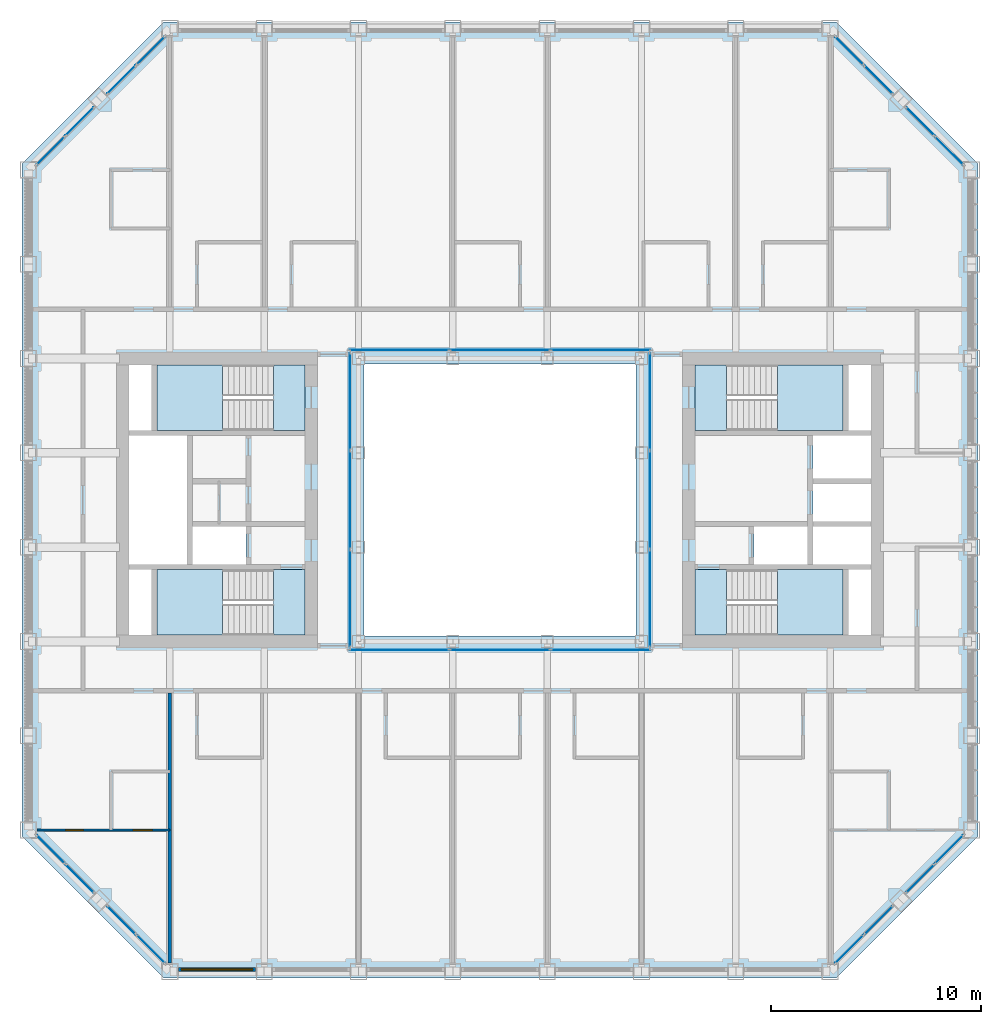
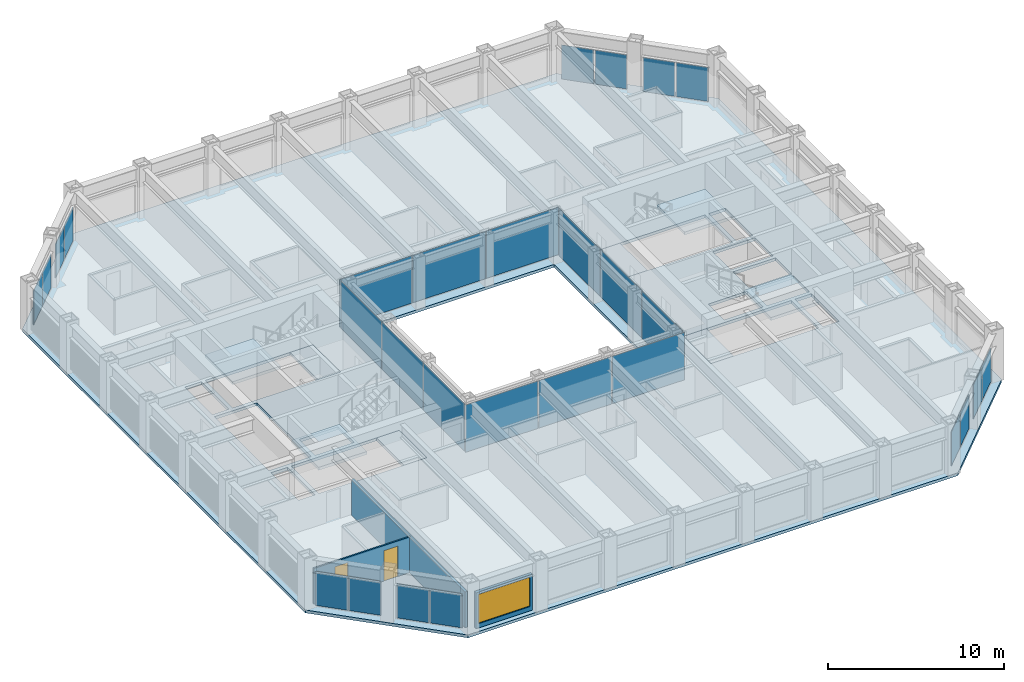
# One storey, part 9 of 17: 28 plates, 9 slabs, 3 walls, 2 doors, 1 window, 3 openings, 16 elements without a shape of their own.
"""IFC4 building model written with IfcOpenShell, lengths in metres."""

from ifc_helpers import new_model, si_unit, direction, frame, frame_2d, origin, origin_2d, place, context, subcontext, project, spatial, polyline, rectangle, outline, extrude, material, layer, layer_set, type_object, element, fill, aggregate, save


model = new_model("IFC4")

# Units and contexts
model_context = context("Model", 3, precision=1e-05, world=origin(), true_north=direction((0.0, 1.0)))
body_context = subcontext(model_context, "Body", "Model", "MODEL_VIEW")
ifc_project = project(units=[si_unit("LENGTHUNIT", "METRE"), si_unit("AREAUNIT", "SQUARE_METRE"), si_unit("VOLUMEUNIT", "CUBIC_METRE"), si_unit("PLANEANGLEUNIT", "RADIAN"), si_unit("MASSUNIT", "GRAM", prefix="KILO")], contexts=[model_context])

# Site, building, storey
site_placement = place(None, origin())
site = spatial("IfcSite", under=ifc_project, at=site_placement, CompositionType="ELEMENT")
building_placement = place(site_placement, origin())
building = spatial("IfcBuilding", under=site, at=building_placement, Name="Msasa Ring Tower", CompositionType="ELEMENT")
storey_placement = place(building_placement, frame((0.0, 0.0, 150.800048828125)))
storey = spatial("IfcBuildingStorey", under=building, at=storey_placement, Name="L39", CompositionType="ELEMENT", Elevation=150.800048828125)

# Curtain wall, plates
ifc_material_1 = material(Name="Aluminium curtain wall with clear glass", Category="aluminium")
curtain_wall_type_1 = type_object("IfcCurtainWallType", Name="CW-C CHAMFER CORNER CURTAIN WALL", PredefinedType="NOTDEFINED", material=ifc_material_1)
curtain_wall_1_placement = place(storey_placement, origin())
curtain_wall_1 = element("IfcCurtainWall", 1, at=curtain_wall_1_placement, inside=storey, type_object=curtain_wall_type_1, Name="Chamfer corner curtain wall SE L39", PredefinedType="NOTDEFINED")
ifc_material_2 = material(Name="Clear laminated insulating glass unit", Category="glass")
ifc_layer_1 = layer(ifc_material_2, 0.031982421875)
ifc_layer_set_1 = layer_set([ifc_layer_1], Name="CW-C GLASS PANEL 32")
plate_type_1 = type_object("IfcPlateType", Name="CW-C GLASS PANEL 32", PredefinedType="CURTAIN_PANEL", material=ifc_layer_set_1)
plate_1_placement = place(storey_placement, frame((16.677734375, -21.430908203125, 0.06494140625), z_axis=(0.0, 0.0, 1.0), x_axis=(0.707106781187, 0.707106781187, 0.0)))
plate_1 = element("IfcPlate", 2, at=plate_1_placement, type_object=plate_type_1, Name="CW-C panel 1.1", PredefinedType="CURTAIN_PANEL", context=body_context, shape_type="SweptSolid", body=[
    extrude(rectangle(XDim=1.884033203125, YDim=0.031982421875, at=origin_2d()), origin(), (0.0, 0.0, 1.0), 2.34912109375),
])
plate_2_placement = place(storey_placement, frame((18.055908203125, -20.052734375, 0.06494140625), z_axis=(0.0, 0.0, 1.0), x_axis=(0.707106781187, 0.707106781187, 0.0)))
plate_2 = element("IfcPlate", 3, at=plate_2_placement, type_object=plate_type_1, Name="CW-C panel 2.1", PredefinedType="CURTAIN_PANEL", context=body_context, shape_type="SweptSolid", body=[
    extrude(rectangle(XDim=1.884033203125, YDim=0.031982421875, at=origin_2d()), origin(), (0.0, 0.0, 1.0), 2.34912109375),
])
aggregate(curtain_wall_1, [plate_1, plate_2])

curtain_wall_2_placement = place(storey_placement, origin())
curtain_wall_2 = element("IfcCurtainWall", 4, at=curtain_wall_2_placement, inside=storey, type_object=curtain_wall_type_1, Name="Chamfer corner curtain wall SE L39", PredefinedType="NOTDEFINED")
plate_3_placement = place(storey_placement, frame((20.052734375, -18.055908203125, 0.06494140625), z_axis=(0.0, 0.0, 1.0), x_axis=(0.707106781187, 0.707106781187, 0.0)))
plate_3 = element("IfcPlate", 5, at=plate_3_placement, type_object=plate_type_1, Name="CW-C panel 1.1", PredefinedType="CURTAIN_PANEL", context=body_context, shape_type="SweptSolid", body=[
    extrude(rectangle(XDim=1.884033203125, YDim=0.031982421875, at=origin_2d()), origin(), (0.0, 0.0, 1.0), 2.34912109375),
])
plate_4_placement = place(storey_placement, frame((21.430908203125, -16.677734375, 0.06494140625), z_axis=(0.0, 0.0, 1.0), x_axis=(0.707106781187, 0.707106781187, 0.0)))
plate_4 = element("IfcPlate", 6, at=plate_4_placement, type_object=plate_type_1, Name="CW-C panel 2.1", PredefinedType="CURTAIN_PANEL", context=body_context, shape_type="SweptSolid", body=[
    extrude(rectangle(XDim=1.884033203125, YDim=0.031982421875, at=origin_2d()), origin(), (0.0, 0.0, 1.0), 2.34912109375),
])
aggregate(curtain_wall_2, [plate_3, plate_4])

curtain_wall_3_placement = place(storey_placement, origin())
curtain_wall_3 = element("IfcCurtainWall", 7, at=curtain_wall_3_placement, inside=storey, type_object=curtain_wall_type_1, Name="Chamfer corner curtain wall NE L39", PredefinedType="NOTDEFINED")
plate_5_placement = place(storey_placement, frame((18.055908203125, 20.052734375, 0.06494140625), z_axis=(0.0, 0.0, 1.0), x_axis=(-0.707106781187, 0.707106781187, 0.0)))
plate_5 = element("IfcPlate", 8, at=plate_5_placement, type_object=plate_type_1, Name="CW-C panel 1.1", PredefinedType="CURTAIN_PANEL", context=body_context, shape_type="SweptSolid", body=[
    extrude(rectangle(XDim=1.884033203125, YDim=0.031982421875, at=origin_2d()), origin(), (0.0, 0.0, 1.0), 2.34912109375),
])
plate_6_placement = place(storey_placement, frame((16.677734375, 21.430908203125, 0.06494140625), z_axis=(0.0, 0.0, 1.0), x_axis=(-0.707106781187, 0.707106781187, 0.0)))
plate_6 = element("IfcPlate", 9, at=plate_6_placement, type_object=plate_type_1, Name="CW-C panel 2.1", PredefinedType="CURTAIN_PANEL", context=body_context, shape_type="SweptSolid", body=[
    extrude(rectangle(XDim=1.884033203125, YDim=0.031982421875, at=origin_2d()), origin(), (0.0, 0.0, 1.0), 2.34912109375),
])
aggregate(curtain_wall_3, [plate_5, plate_6])

curtain_wall_4_placement = place(storey_placement, origin())
curtain_wall_4 = element("IfcCurtainWall", 10, at=curtain_wall_4_placement, inside=storey, type_object=curtain_wall_type_1, Name="Chamfer corner curtain wall NE L39", PredefinedType="NOTDEFINED")
plate_7_placement = place(storey_placement, frame((21.430908203125, 16.677734375, 0.06494140625), z_axis=(0.0, 0.0, 1.0), x_axis=(-0.707106781187, 0.707106781187, 0.0)))
plate_7 = element("IfcPlate", 11, at=plate_7_placement, type_object=plate_type_1, Name="CW-C panel 1.1", PredefinedType="CURTAIN_PANEL", context=body_context, shape_type="SweptSolid", body=[
    extrude(rectangle(XDim=1.884033203125, YDim=0.031982421875, at=origin_2d()), origin(), (0.0, 0.0, 1.0), 2.34912109375),
])
plate_8_placement = place(storey_placement, frame((20.052734375, 18.055908203125, 0.06494140625), z_axis=(0.0, 0.0, 1.0), x_axis=(-0.707106781187, 0.707106781187, 0.0)))
plate_8 = element("IfcPlate", 12, at=plate_8_placement, type_object=plate_type_1, Name="CW-C panel 2.1", PredefinedType="CURTAIN_PANEL", context=body_context, shape_type="SweptSolid", body=[
    extrude(rectangle(XDim=1.884033203125, YDim=0.031982421875, at=origin_2d()), origin(), (0.0, 0.0, 1.0), 2.34912109375),
])
aggregate(curtain_wall_4, [plate_7, plate_8])

curtain_wall_5_placement = place(storey_placement, origin())
curtain_wall_5 = element("IfcCurtainWall", 13, at=curtain_wall_5_placement, inside=storey, type_object=curtain_wall_type_1, Name="Chamfer corner curtain wall NW L39", PredefinedType="NOTDEFINED")
plate_9_placement = place(storey_placement, frame((-20.052734375, 18.055908203125, 0.06494140625), z_axis=(0.0, 0.0, 1.0), x_axis=(-0.707106781187, -0.707106781187, 0.0)))
plate_9 = element("IfcPlate", 14, at=plate_9_placement, type_object=plate_type_1, Name="CW-C panel 1.1", PredefinedType="CURTAIN_PANEL", context=body_context, shape_type="SweptSolid", body=[
    extrude(rectangle(XDim=1.884033203125, YDim=0.031982421875, at=origin_2d()), origin(), (0.0, 0.0, 1.0), 2.34912109375),
])
plate_10_placement = place(storey_placement, frame((-21.430908203125, 16.677734375, 0.06494140625), z_axis=(0.0, 0.0, 1.0), x_axis=(-0.707106781187, -0.707106781187, 0.0)))
plate_10 = element("IfcPlate", 15, at=plate_10_placement, type_object=plate_type_1, Name="CW-C panel 2.1", PredefinedType="CURTAIN_PANEL", context=body_context, shape_type="SweptSolid", body=[
    extrude(rectangle(XDim=1.884033203125, YDim=0.031982421875, at=origin_2d()), origin(), (0.0, 0.0, 1.0), 2.34912109375),
])
aggregate(curtain_wall_5, [plate_9, plate_10])

curtain_wall_6_placement = place(storey_placement, origin())
curtain_wall_6 = element("IfcCurtainWall", 16, at=curtain_wall_6_placement, inside=storey, type_object=curtain_wall_type_1, Name="Chamfer corner curtain wall NW L39", PredefinedType="NOTDEFINED")
plate_11_placement = place(storey_placement, frame((-16.677734375, 21.430908203125, 0.06494140625), z_axis=(0.0, 0.0, 1.0), x_axis=(-0.707106781187, -0.707106781187, 0.0)))
plate_11 = element("IfcPlate", 17, at=plate_11_placement, type_object=plate_type_1, Name="CW-C panel 1.1", PredefinedType="CURTAIN_PANEL", context=body_context, shape_type="SweptSolid", body=[
    extrude(rectangle(XDim=1.884033203125, YDim=0.031982421875, at=origin_2d()), origin(), (0.0, 0.0, 1.0), 2.34912109375),
])
plate_12_placement = place(storey_placement, frame((-18.055908203125, 20.052734375, 0.06494140625), z_axis=(0.0, 0.0, 1.0), x_axis=(-0.707106781187, -0.707106781187, 0.0)))
plate_12 = element("IfcPlate", 18, at=plate_12_placement, type_object=plate_type_1, Name="CW-C panel 2.1", PredefinedType="CURTAIN_PANEL", context=body_context, shape_type="SweptSolid", body=[
    extrude(rectangle(XDim=1.884033203125, YDim=0.031982421875, at=origin_2d()), origin(), (0.0, 0.0, 1.0), 2.34912109375),
])
aggregate(curtain_wall_6, [plate_11, plate_12])

curtain_wall_7_placement = place(storey_placement, origin())
curtain_wall_7 = element("IfcCurtainWall", 19, at=curtain_wall_7_placement, inside=storey, type_object=curtain_wall_type_1, Name="Chamfer corner curtain wall SW L39", PredefinedType="NOTDEFINED")
plate_13_placement = place(storey_placement, frame((-21.430908203125, -16.677734375, 0.06494140625), z_axis=(0.0, 0.0, 1.0), x_axis=(0.707106781187, -0.707106781187, 0.0)))
plate_13 = element("IfcPlate", 20, at=plate_13_placement, type_object=plate_type_1, Name="CW-C panel 1.1", PredefinedType="CURTAIN_PANEL", context=body_context, shape_type="SweptSolid", body=[
    extrude(rectangle(XDim=1.884033203125, YDim=0.031982421875, at=origin_2d()), origin(), (0.0, 0.0, 1.0), 2.34912109375),
])
plate_14_placement = place(storey_placement, frame((-20.052734375, -18.055908203125, 0.06494140625), z_axis=(0.0, 0.0, 1.0), x_axis=(0.707106781187, -0.707106781187, 0.0)))
plate_14 = element("IfcPlate", 21, at=plate_14_placement, type_object=plate_type_1, Name="CW-C panel 2.1", PredefinedType="CURTAIN_PANEL", context=body_context, shape_type="SweptSolid", body=[
    extrude(rectangle(XDim=1.884033203125, YDim=0.031982421875, at=origin_2d()), origin(), (0.0, 0.0, 1.0), 2.34912109375),
])
aggregate(curtain_wall_7, [plate_13, plate_14])

curtain_wall_8_placement = place(storey_placement, origin())
curtain_wall_8 = element("IfcCurtainWall", 22, at=curtain_wall_8_placement, inside=storey, type_object=curtain_wall_type_1, Name="Chamfer corner curtain wall SW L39", PredefinedType="NOTDEFINED")
plate_15_placement = place(storey_placement, frame((-18.055908203125, -20.052734375, 0.06494140625), z_axis=(0.0, 0.0, 1.0), x_axis=(0.707106781187, -0.707106781187, 0.0)))
plate_15 = element("IfcPlate", 23, at=plate_15_placement, type_object=plate_type_1, Name="CW-C panel 1.1", PredefinedType="CURTAIN_PANEL", context=body_context, shape_type="SweptSolid", body=[
    extrude(rectangle(XDim=1.884033203125, YDim=0.031982421875, at=origin_2d()), origin(), (0.0, 0.0, 1.0), 2.34912109375),
])
plate_16_placement = place(storey_placement, frame((-16.677734375, -21.430908203125, 0.06494140625), z_axis=(0.0, 0.0, 1.0), x_axis=(0.707106781187, -0.707106781187, 0.0)))
plate_16 = element("IfcPlate", 24, at=plate_16_placement, type_object=plate_type_1, Name="CW-C panel 2.1", PredefinedType="CURTAIN_PANEL", context=body_context, shape_type="SweptSolid", body=[
    extrude(rectangle(XDim=1.884033203125, YDim=0.031982421875, at=origin_2d()), origin(), (0.0, 0.0, 1.0), 2.34912109375),
])
aggregate(curtain_wall_8, [plate_15, plate_16])

ifc_material_3 = material(Name="Aluminium curtain wall with clear glass", Category="aluminium")
curtain_wall_type_2 = type_object("IfcCurtainWallType", Name="CW-W LIGHT WELL CURTAIN WALL", PredefinedType="NOTDEFINED", material=ifc_material_3)
curtain_wall_9_placement = place(storey_placement, origin())
curtain_wall_9 = element("IfcCurtainWall", 25, at=curtain_wall_9_placement, inside=storey, type_object=curtain_wall_type_2, Name="Light well curtain wall N L39", PredefinedType="NOTDEFINED")
ifc_material_4 = material(Name="Clear laminated insulating glass unit", Category="glass")
ifc_layer_2 = layer(ifc_material_4, 0.028076171875)
ifc_layer_set_2 = layer_set([ifc_layer_2], Name="CW-W GLASS PANEL 28")
plate_type_2 = type_object("IfcPlateType", Name="CW-W GLASS PANEL 28", PredefinedType="CURTAIN_PANEL", material=ifc_layer_set_2)
plate_17_placement = place(storey_placement, frame((-4.804931640625, 7.14990234375, 0.06005859375), z_axis=(0.0, 0.0, 1.0), x_axis=(1.0, 0.0, 0.0)))
plate_17 = element("IfcPlate", 26, at=plate_17_placement, type_object=plate_type_2, Name="CW-W panel 1.1", PredefinedType="CURTAIN_PANEL", context=body_context, shape_type="SweptSolid", body=[
    extrude(rectangle(XDim=4.72998046875, YDim=0.028076171875, at=origin_2d()), origin(), (0.0, 0.0, 1.0), 3.280029296875),
])
plate_18_placement = place(storey_placement, frame((0.0, 7.14990234375, 0.06005859375), z_axis=(0.0, 0.0, 1.0), x_axis=(1.0, 0.0, 0.0)))
plate_18 = element("IfcPlate", 27, at=plate_18_placement, type_object=plate_type_2, Name="CW-W panel 2.1", PredefinedType="CURTAIN_PANEL", context=body_context, shape_type="SweptSolid", body=[
    extrude(rectangle(XDim=4.760009765625, YDim=0.028076171875, at=origin_2d()), origin(), (0.0, 0.0, 1.0), 3.280029296875),
])
plate_19_placement = place(storey_placement, frame((4.804931640625, 7.14990234375, 0.06005859375), z_axis=(0.0, 0.0, 1.0), x_axis=(1.0, 0.0, 0.0)))
plate_19 = element("IfcPlate", 28, at=plate_19_placement, type_object=plate_type_2, Name="CW-W panel 3.1", PredefinedType="CURTAIN_PANEL", context=body_context, shape_type="SweptSolid", body=[
    extrude(rectangle(XDim=4.72998046875, YDim=0.028076171875, at=origin_2d()), origin(), (0.0, 0.0, 1.0), 3.280029296875),
])
aggregate(curtain_wall_9, [plate_17, plate_18, plate_19])

curtain_wall_10_placement = place(storey_placement, origin())
curtain_wall_10 = element("IfcCurtainWall", 29, at=curtain_wall_10_placement, inside=storey, type_object=curtain_wall_type_2, Name="Light well curtain wall S L39", PredefinedType="NOTDEFINED")
plate_20_placement = place(storey_placement, frame((-4.804931640625, -7.14990234375, 0.06005859375), z_axis=(0.0, 0.0, 1.0), x_axis=(1.0, 0.0, 0.0)))
plate_20 = element("IfcPlate", 30, at=plate_20_placement, type_object=plate_type_2, Name="CW-W panel 1.1", PredefinedType="CURTAIN_PANEL", context=body_context, shape_type="SweptSolid", body=[
    extrude(rectangle(XDim=4.72998046875, YDim=0.028076171875, at=origin_2d()), origin(), (0.0, 0.0, 1.0), 3.280029296875),
])
plate_21_placement = place(storey_placement, frame((0.0, -7.14990234375, 0.06005859375), z_axis=(0.0, 0.0, 1.0), x_axis=(1.0, 0.0, 0.0)))
plate_21 = element("IfcPlate", 31, at=plate_21_placement, type_object=plate_type_2, Name="CW-W panel 2.1", PredefinedType="CURTAIN_PANEL", context=body_context, shape_type="SweptSolid", body=[
    extrude(rectangle(XDim=4.760009765625, YDim=0.028076171875, at=origin_2d()), origin(), (0.0, 0.0, 1.0), 3.280029296875),
])
plate_22_placement = place(storey_placement, frame((4.804931640625, -7.14990234375, 0.06005859375), z_axis=(0.0, 0.0, 1.0), x_axis=(1.0, 0.0, 0.0)))
plate_22 = element("IfcPlate", 32, at=plate_22_placement, type_object=plate_type_2, Name="CW-W panel 3.1", PredefinedType="CURTAIN_PANEL", context=body_context, shape_type="SweptSolid", body=[
    extrude(rectangle(XDim=4.72998046875, YDim=0.028076171875, at=origin_2d()), origin(), (0.0, 0.0, 1.0), 3.280029296875),
])
aggregate(curtain_wall_10, [plate_20, plate_21, plate_22])

curtain_wall_11_placement = place(storey_placement, origin())
curtain_wall_11 = element("IfcCurtainWall", 33, at=curtain_wall_11_placement, inside=storey, type_object=curtain_wall_type_2, Name="Light well curtain wall E L39", PredefinedType="NOTDEFINED")
plate_23_placement = place(storey_placement, frame((7.14990234375, -4.6982421875, 0.06005859375), z_axis=(0.0, 0.0, 1.0), x_axis=(0.0, 1.0, 0.0)))
plate_23 = element("IfcPlate", 34, at=plate_23_placement, type_object=plate_type_2, Name="CW-W panel 1.1", PredefinedType="CURTAIN_PANEL", context=body_context, shape_type="SweptSolid", body=[
    extrude(rectangle(XDim=4.623291015625, YDim=0.028076171875, at=origin_2d()), origin(), (0.0, 0.0, 1.0), 3.280029296875),
])
plate_24_placement = place(storey_placement, frame((7.14990234375, 0.0, 0.06005859375), z_axis=(0.0, 0.0, 1.0), x_axis=(0.0, 1.0, 0.0)))
plate_24 = element("IfcPlate", 35, at=plate_24_placement, type_object=plate_type_2, Name="CW-W panel 2.1", PredefinedType="CURTAIN_PANEL", context=body_context, shape_type="SweptSolid", body=[
    extrude(rectangle(XDim=4.6533203125, YDim=0.028076171875, at=origin_2d()), origin(), (0.0, 0.0, 1.0), 3.280029296875),
])
plate_25_placement = place(storey_placement, frame((7.14990234375, 4.6982421875, 0.06005859375), z_axis=(0.0, 0.0, 1.0), x_axis=(0.0, 1.0, 0.0)))
plate_25 = element("IfcPlate", 36, at=plate_25_placement, type_object=plate_type_2, Name="CW-W panel 3.1", PredefinedType="CURTAIN_PANEL", context=body_context, shape_type="SweptSolid", body=[
    extrude(rectangle(XDim=4.623291015625, YDim=0.028076171875, at=origin_2d()), origin(), (0.0, 0.0, 1.0), 3.280029296875),
])
aggregate(curtain_wall_11, [plate_23, plate_24, plate_25])

curtain_wall_12_placement = place(storey_placement, origin())
curtain_wall_12 = element("IfcCurtainWall", 37, at=curtain_wall_12_placement, inside=storey, type_object=curtain_wall_type_2, Name="Light well curtain wall W L39", PredefinedType="NOTDEFINED")
plate_26_placement = place(storey_placement, frame((-7.14990234375, -4.6982421875, 0.06005859375), z_axis=(0.0, 0.0, 1.0), x_axis=(0.0, 1.0, 0.0)))
plate_26 = element("IfcPlate", 38, at=plate_26_placement, type_object=plate_type_2, Name="CW-W panel 1.1", PredefinedType="CURTAIN_PANEL", context=body_context, shape_type="SweptSolid", body=[
    extrude(rectangle(XDim=4.623291015625, YDim=0.028076171875, at=origin_2d()), origin(), (0.0, 0.0, 1.0), 3.280029296875),
])
plate_27_placement = place(storey_placement, frame((-7.14990234375, 0.0, 0.06005859375), z_axis=(0.0, 0.0, 1.0), x_axis=(0.0, 1.0, 0.0)))
plate_27 = element("IfcPlate", 39, at=plate_27_placement, type_object=plate_type_2, Name="CW-W panel 2.1", PredefinedType="CURTAIN_PANEL", context=body_context, shape_type="SweptSolid", body=[
    extrude(rectangle(XDim=4.6533203125, YDim=0.028076171875, at=origin_2d()), origin(), (0.0, 0.0, 1.0), 3.280029296875),
])
plate_28_placement = place(storey_placement, frame((-7.14990234375, 4.6982421875, 0.06005859375), z_axis=(0.0, 0.0, 1.0), x_axis=(0.0, 1.0, 0.0)))
plate_28 = element("IfcPlate", 40, at=plate_28_placement, type_object=plate_type_2, Name="CW-W panel 3.1", PredefinedType="CURTAIN_PANEL", context=body_context, shape_type="SweptSolid", body=[
    extrude(rectangle(XDim=4.623291015625, YDim=0.028076171875, at=origin_2d()), origin(), (0.0, 0.0, 1.0), 3.280029296875),
])
aggregate(curtain_wall_12, [plate_26, plate_27, plate_28])

# Stair, slabs
ifc_material_5 = material(Name="Concrete C40/50", Category="concrete")
stair_type = type_object("IfcStairType", Name="STC CORE STAIR 20 RISERS 180", PredefinedType="HALF_TURN_STAIR", material=ifc_material_5)
stair_1_placement = place(storey_placement, origin())
stair_1 = element("IfcStair", 41, at=stair_1_placement, inside=storey, type_object=stair_type, Name="Core stair SEA L39", PredefinedType="HALF_TURN_STAIR")
ifc_material_6 = material(Name="Concrete C40/50", Category="concrete")
ifc_layer_3 = layer(ifc_material_6, 0.199951171875)
ifc_layer_set_3 = layer_set([ifc_layer_3], Name="LD1 CORE STAIR LANDING 200")
slab_type_1 = type_object("IfcSlabType", Name="LD1 CORE STAIR LANDING 200", PredefinedType="LANDING", material=ifc_layer_set_3)
slab_1_placement = place(storey_placement, frame((0.0, 0.0, -0.199951171875)))
slab_1 = element("IfcSlab", 42, at=slab_1_placement, type_object=slab_type_1, Name="SEA landing 1", PredefinedType="LANDING", context=body_context, shape_type="SweptSolid", body=[
    extrude(outline(polyline([(9.300048828125, -6.449951171875), (10.800048828125, -6.449951171875), (10.800048828125, -3.324951171875), (9.300048828125, -3.324951171875), (9.300048828125, -6.449951171875)])), origin(), (0.0, 0.0, 1.0), 0.199951171875),
])
slab_2_placement = place(storey_placement, frame((0.0, 0.0, 1.599853515625)))
slab_2 = element("IfcSlab", 43, at=slab_2_placement, type_object=slab_type_1, Name="SEA landing 2", PredefinedType="LANDING", context=body_context, shape_type="SweptSolid", body=[
    extrude(outline(polyline([(13.22998046875, -6.449951171875), (16.375, -6.449951171875), (16.375, -3.324951171875), (13.22998046875, -3.324951171875), (13.22998046875, -6.449951171875)])), origin(), (0.0, 0.0, 1.0), 0.2001953125),
])
aggregate(stair_1, [slab_1, slab_2])

stair_2_placement = place(storey_placement, origin())
stair_2 = element("IfcStair", 44, at=stair_2_placement, inside=storey, type_object=stair_type, Name="Core stair SEB L39", PredefinedType="HALF_TURN_STAIR")
slab_3_placement = place(storey_placement, frame((0.0, 0.0, -0.199951171875)))
slab_3 = element("IfcSlab", 45, at=slab_3_placement, type_object=slab_type_1, Name="SEB landing 1", PredefinedType="LANDING", context=body_context, shape_type="SweptSolid", body=[
    extrude(outline(polyline([(9.300048828125, 3.324951171875), (10.800048828125, 3.324951171875), (10.800048828125, 6.449951171875), (9.300048828125, 6.449951171875), (9.300048828125, 3.324951171875)])), origin(), (0.0, 0.0, 1.0), 0.199951171875),
])
slab_4_placement = place(storey_placement, frame((0.0, 0.0, 1.599853515625)))
slab_4 = element("IfcSlab", 46, at=slab_4_placement, type_object=slab_type_1, Name="SEB landing 2", PredefinedType="LANDING", context=body_context, shape_type="SweptSolid", body=[
    extrude(outline(polyline([(13.22998046875, 3.324951171875), (16.375, 3.324951171875), (16.375, 6.449951171875), (13.22998046875, 6.449951171875), (13.22998046875, 3.324951171875)])), origin(), (0.0, 0.0, 1.0), 0.2001953125),
])
aggregate(stair_2, [slab_3, slab_4])

stair_3_placement = place(storey_placement, origin())
stair_3 = element("IfcStair", 47, at=stair_3_placement, inside=storey, type_object=stair_type, Name="Core stair SWA L39", PredefinedType="HALF_TURN_STAIR")
slab_5_placement = place(storey_placement, frame((0.0, 0.0, -0.199951171875)))
slab_5 = element("IfcSlab", 48, at=slab_5_placement, type_object=slab_type_1, Name="SWA landing 1", PredefinedType="LANDING", context=body_context, shape_type="SweptSolid", body=[
    extrude(outline(polyline([(-10.800048828125, -6.449951171875), (-9.300048828125, -6.449951171875), (-9.300048828125, -3.324951171875), (-10.800048828125, -3.324951171875), (-10.800048828125, -6.449951171875)])), origin(), (0.0, 0.0, 1.0), 0.199951171875),
])
slab_6_placement = place(storey_placement, frame((0.0, 0.0, 1.599853515625)))
slab_6 = element("IfcSlab", 49, at=slab_6_placement, type_object=slab_type_1, Name="SWA landing 2", PredefinedType="LANDING", context=body_context, shape_type="SweptSolid", body=[
    extrude(outline(polyline([(-16.375, -6.449951171875), (-13.22998046875, -6.449951171875), (-13.22998046875, -3.324951171875), (-16.375, -3.324951171875), (-16.375, -6.449951171875)])), origin(), (0.0, 0.0, 1.0), 0.2001953125),
])
aggregate(stair_3, [slab_5, slab_6])

stair_4_placement = place(storey_placement, origin())
stair_4 = element("IfcStair", 50, at=stair_4_placement, inside=storey, type_object=stair_type, Name="Core stair SWB L39", PredefinedType="HALF_TURN_STAIR")
slab_7_placement = place(storey_placement, frame((0.0, 0.0, -0.199951171875)))
slab_7 = element("IfcSlab", 51, at=slab_7_placement, type_object=slab_type_1, Name="SWB landing 1", PredefinedType="LANDING", context=body_context, shape_type="SweptSolid", body=[
    extrude(outline(polyline([(-10.800048828125, 3.324951171875), (-9.300048828125, 3.324951171875), (-9.300048828125, 6.449951171875), (-10.800048828125, 6.449951171875), (-10.800048828125, 3.324951171875)])), origin(), (0.0, 0.0, 1.0), 0.199951171875),
])
slab_8_placement = place(storey_placement, frame((0.0, 0.0, 1.599853515625)))
slab_8 = element("IfcSlab", 52, at=slab_8_placement, type_object=slab_type_1, Name="SWB landing 2", PredefinedType="LANDING", context=body_context, shape_type="SweptSolid", body=[
    extrude(outline(polyline([(-16.375, 3.324951171875), (-13.22998046875, 3.324951171875), (-13.22998046875, 6.449951171875), (-16.375, 6.449951171875), (-16.375, 3.324951171875)])), origin(), (0.0, 0.0, 1.0), 0.2001953125),
])
aggregate(stair_4, [slab_7, slab_8])

# Slab
ifc_material_7 = material(Name="Concrete C40/50", Category="concrete")
ifc_layer_4 = layer(ifc_material_7, 0.199951171875)
ifc_layer_set_4 = layer_set([ifc_layer_4], Name="S6 GUEST FLOOR 200")
slab_type_2 = type_object("IfcSlabType", Name="S6 GUEST FLOOR 200", PredefinedType="FLOOR", material=ifc_layer_set_4)
slab_9_placement = place(storey_placement, frame((0.0, 0.0, -0.199951171875)))
element("IfcSlab", 53, at=slab_9_placement, inside=storey, type_object=slab_type_2, Name="Floor slab L39", PredefinedType="FLOOR", context=body_context, shape_type="SweptSolid", body=[
    extrude(outline(polyline([(-16.050048828125, -22.800048828125), (16.050048828125, -22.800048828125), (22.800048828125, -16.050048828125), (22.800048828125, 16.050048828125), (16.050048828125, 22.800048828125), (-16.050048828125, 22.800048828125), (-22.800048828125, 16.050048828125), (-22.800048828125, -16.050048828125), (-16.050048828125, -22.800048828125)]), holes=[polyline([(-6.5, -6.5), (6.5, -6.5), (6.5, 6.5), (-6.5, 6.5), (-6.5, -6.5)]), polyline([(9.300048828125, -6.449951171875), (16.375, -6.449951171875), (16.375, -3.324951171875), (9.300048828125, -3.324951171875), (9.300048828125, -6.449951171875)]), polyline([(9.300048828125, 3.324951171875), (16.375, 3.324951171875), (16.375, 6.449951171875), (9.300048828125, 6.449951171875), (9.300048828125, 3.324951171875)]), polyline([(12.125, -3.074951171875), (14.675048828125, -3.074951171875), (14.675048828125, -1.27490234375), (12.125, -1.27490234375), (12.125, -3.074951171875)]), polyline([(16.625, -6.449951171875), (17.699951171875, -6.449951171875), (17.699951171875, -3.324951171875), (16.625, -3.324951171875), (16.625, -6.449951171875)]), polyline([(16.625, 3.324951171875), (17.699951171875, 3.324951171875), (17.699951171875, 6.449951171875), (16.625, 6.449951171875), (16.625, 3.324951171875)]), polyline([(14.925048828125, -3.074951171875), (17.699951171875, -3.074951171875), (17.699951171875, -1.27490234375), (14.925048828125, -1.27490234375), (14.925048828125, -3.074951171875)]), polyline([(14.925048828125, -1.02490234375), (17.699951171875, -1.02490234375), (17.699951171875, 0.77490234375), (14.925048828125, 0.77490234375), (14.925048828125, -1.02490234375)]), polyline([(14.925048828125, 1.02490234375), (17.699951171875, 1.02490234375), (17.699951171875, 3.074951171875), (14.925048828125, 3.074951171875), (14.925048828125, 1.02490234375)]), polyline([(-16.375, -6.449951171875), (-9.300048828125, -6.449951171875), (-9.300048828125, -3.324951171875), (-16.375, -3.324951171875), (-16.375, -6.449951171875)]), polyline([(-16.375, 3.324951171875), (-9.300048828125, 3.324951171875), (-9.300048828125, 6.449951171875), (-16.375, 6.449951171875), (-16.375, 3.324951171875)]), polyline([(-14.675048828125, -3.074951171875), (-12.125, -3.074951171875), (-12.125, -1.27490234375), (-14.675048828125, -1.27490234375), (-14.675048828125, -3.074951171875)]), polyline([(-17.699951171875, -6.449951171875), (-16.625, -6.449951171875), (-16.625, -3.324951171875), (-17.699951171875, -3.324951171875), (-17.699951171875, -6.449951171875)]), polyline([(-17.699951171875, 3.324951171875), (-16.625, 3.324951171875), (-16.625, 6.449951171875), (-17.699951171875, 6.449951171875), (-17.699951171875, 3.324951171875)]), polyline([(-17.699951171875, -3.074951171875), (-14.925048828125, -3.074951171875), (-14.925048828125, 3.074951171875), (-17.699951171875, 3.074951171875), (-17.699951171875, -3.074951171875)])]), origin(), (0.0, 0.0, 1.0), 0.199951171875),
])

# Wall, opening, window
ifc_material_8 = material(Name="Terracotta rainscreen on blockwork", Category="masonry")
ifc_layer_5 = layer(ifc_material_8, 0.199951171875)
ifc_layer_set_5 = layer_set([ifc_layer_5], Name="FW1 TERRACOTTA-LINED INFILL BAY WALL 200")
wall_type_1 = type_object("IfcWallType", Name="FW1 TERRACOTTA-LINED INFILL BAY WALL 200", PredefinedType="SOLIDWALL", material=ifc_layer_set_5)
wall_1_placement = place(storey_placement, frame((-15.344970703125, -22.39990234375, 0.0), z_axis=(0.0, 0.0, 1.0), x_axis=(1.0, 0.0, 0.0)))
wall_1 = element("IfcWall", 54, at=wall_1_placement, inside=storey, type_object=wall_type_1, Name="Infill bay wall S L39 00", PredefinedType="SOLIDWALL", context=body_context, shape_type="SweptSolid", body=[
    extrude(rectangle(XDim=3.68994140625, YDim=0.199951171875, at=frame_2d((1.844970703125, 0.0))), origin(), (0.0, 0.0, 1.0), 2.47900390625),
])
opening_1_placement = place(wall_1_placement, frame((0.14501953125, 0.0, 0.300048828125)))
opening_1 = element("IfcOpeningElement", 55, at=opening_1_placement, cuts=wall_1, Name="Opening WN2", PredefinedType="OPENING", context=body_context, shape_type="SweptSolid", body=[
    extrude(rectangle(XDim=3.39990234375, YDim=2.029052734375, at=frame_2d((1.699951171875, 1.0146484375))), frame((0.0, 0.10986328125, 0.0), z_axis=(0.0, -1.0, 0.0), x_axis=(1.0, 0.0, 0.0)), (0.0, 0.0, 1.0), 0.219970703125),
])
ifc_material_9 = material(Name="Aluminium frame with clear glass", Category="aluminium")
window_type = type_object("IfcWindowType", Name="WN2 GUEST ROOM WINDOW 3400x2029", PartitioningType="SINGLE_PANEL", PredefinedType="WINDOW", material=ifc_material_9)
window_placement = place(opening_1_placement, origin())
window = element("IfcWindow", 56, at=window_placement, inside=storey, type_object=window_type, Name="Window S L39 00", OverallHeight=2.029052734375, OverallWidth=3.39990234375, PartitioningType="SINGLE_PANEL", PredefinedType="WINDOW", context=body_context, shape_type="SweptSolid", body=[
    extrude(rectangle(XDim=3.39990234375, YDim=2.029052734375, at=frame_2d((1.699951171875, 1.0146484375))), frame((0.0, 0.030029296875, 0.0), z_axis=(0.0, -1.0, 0.0), x_axis=(1.0, 0.0, 0.0)), (0.0, 0.0, 1.0), 0.06005859375),
])
fill(opening_1, window)

# Wall, openings, doors
ifc_material_10 = material(Name="Gypsum board on steel studs", Category="steel")
ifc_layer_6 = layer(ifc_material_10, 0.10009765625)
ifc_layer_set_6 = layer_set([ifc_layer_6], Name="PT2 STUD PARTITION 100")
wall_type_2 = type_object("IfcWallType", Name="PT2 STUD PARTITION 100", PredefinedType="PARTITIONING", material=ifc_layer_set_6)
wall_2_placement = place(storey_placement, frame((-22.10009765625, -15.75, 0.0), z_axis=(0.0, 0.0, 1.0), x_axis=(1.0, 0.0, 0.0)))
wall_2 = element("IfcWall", 57, at=wall_2_placement, inside=storey, type_object=wall_type_2, Name="Partition L39-CSSWX", PredefinedType="PARTITIONING", context=body_context, shape_type="SweptSolid", body=[
    extrude(rectangle(XDim=6.35009765625, YDim=0.10009765625, at=frame_2d((3.175048828125, 0.0))), origin(), (0.0, 0.0, 1.0), 2.473388671875),
])
opening_2_placement = place(wall_2_placement, frame((1.375, 0.0, 0.0)))
opening_2 = element("IfcOpeningElement", 58, at=opening_2_placement, cuts=wall_2, Name="Opening HD-045", PredefinedType="OPENING", context=body_context, shape_type="SweptSolid", body=[
    extrude(rectangle(XDim=0.85009765625, YDim=2.10009765625, at=frame_2d((0.425048828125, 1.050048828125))), frame((0.0, 0.06005859375, 0.0), z_axis=(0.0, -1.0, 0.0), x_axis=(1.0, 0.0, 0.0)), (0.0, 0.0, 1.0), 0.1201171875),
])
opening_3_placement = place(wall_2_placement, frame((4.60009765625, 0.0, 0.0)))
opening_3 = element("IfcOpeningElement", 59, at=opening_3_placement, cuts=wall_2, Name="Opening HD-046", PredefinedType="OPENING", context=body_context, shape_type="SweptSolid", body=[
    extrude(rectangle(XDim=0.89990234375, YDim=2.10009765625, at=frame_2d((0.449951171875, 1.050048828125))), frame((0.0, 0.06005859375, 0.0), z_axis=(0.0, -1.0, 0.0), x_axis=(1.0, 0.0, 0.0)), (0.0, 0.0, 1.0), 0.1201171875),
])
ifc_material_11 = material(Name="Timber door leaf in a steel frame", Category="steel")
door_type_1 = type_object("IfcDoorType", Name="D14 BEDROOM DOOR 850x2100", OperationType="SINGLE_SWING_LEFT", PredefinedType="DOOR", material=ifc_material_11)
door_1_placement = place(opening_2_placement, origin())
door_1 = element("IfcDoor", 60, at=door_1_placement, inside=storey, type_object=door_type_1, Name="Door L39-CSSWR1", OperationType="SINGLE_SWING_LEFT", OverallHeight=2.10009765625, OverallWidth=0.85009765625, PredefinedType="DOOR", context=body_context, shape_type="SweptSolid", body=[
    extrude(rectangle(XDim=0.85009765625, YDim=2.10009765625, at=frame_2d((0.425048828125, 1.050048828125))), frame((0.0, 0.02490234375, 0.0), z_axis=(0.0, -1.0, 0.0), x_axis=(1.0, 0.0, 0.0)), (0.0, 0.0, 1.0), 0.050048828125),
])
fill(opening_2, door_1)
ifc_material_12 = material(Name="Timber door leaf in a steel frame", Category="steel")
door_type_2 = type_object("IfcDoorType", Name="D3 BATHROOM DOOR 900x2100", OperationType="SINGLE_SWING_LEFT", PredefinedType="DOOR", material=ifc_material_12)
door_2_placement = place(opening_3_placement, origin())
door_2 = element("IfcDoor", 61, at=door_2_placement, inside=storey, type_object=door_type_2, Name="Door L39-CSSWB1", OperationType="SINGLE_SWING_RIGHT", OverallHeight=2.10009765625, OverallWidth=0.89990234375, PredefinedType="DOOR", context=body_context, shape_type="SweptSolid", body=[
    extrude(rectangle(XDim=0.89990234375, YDim=2.10009765625, at=frame_2d((0.449951171875, 1.050048828125))), frame((0.0, 0.02490234375, 0.0), z_axis=(0.0, -1.0, 0.0), x_axis=(1.0, 0.0, 0.0)), (0.0, 0.0, 1.0), 0.050048828125),
])
fill(opening_3, door_2)

# Wall
ifc_material_13 = material(Name="Twin steel studs, two layers of acoustic board each face, mineral wool", Category="steel")
ifc_layer_7 = layer(ifc_material_13, 0.175048828125)
ifc_layer_set_7 = layer_set([ifc_layer_7], Name="PT5 GUEST ROOM SEPARATING WALL 175")
wall_type_3 = type_object("IfcWallType", Name="PT5 GUEST ROOM SEPARATING WALL 175", PredefinedType="PARTITIONING", material=ifc_layer_set_7)
wall_3_placement = place(storey_placement, frame((-15.75, -22.10009765625, 0.0), z_axis=(0.0, 0.0, 1.0), x_axis=(0.0, 1.0, 0.0)))
element("IfcWall", 62, at=wall_3_placement, inside=storey, type_object=wall_type_3, Name="Partition L39-PWS-15.75", PredefinedType="PARTITIONING", context=body_context, shape_type="SweptSolid", body=[
    extrude(rectangle(XDim=12.900146484375, YDim=0.175048828125, at=frame_2d((6.4501953125, 0.0))), origin(), (0.0, 0.0, 1.0), 2.473388671875),
])

save(model, "model.ifc")
